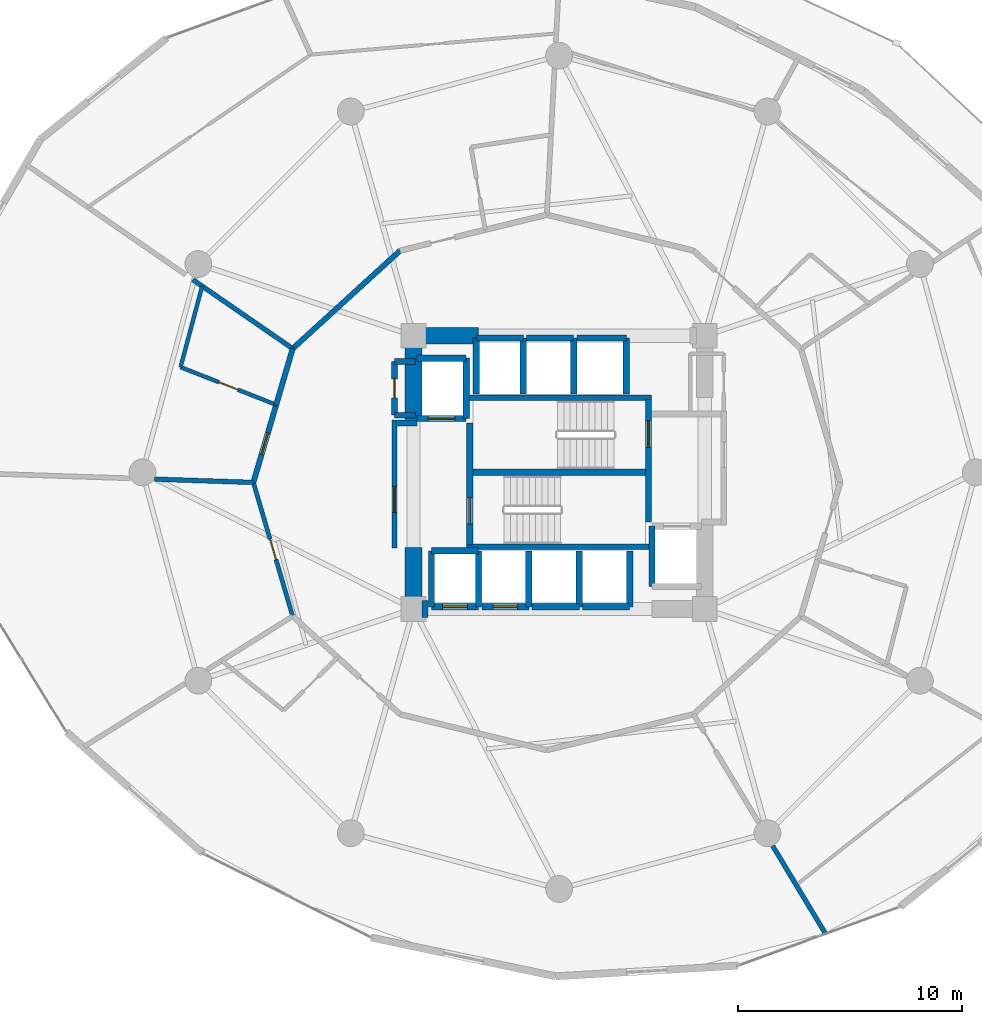
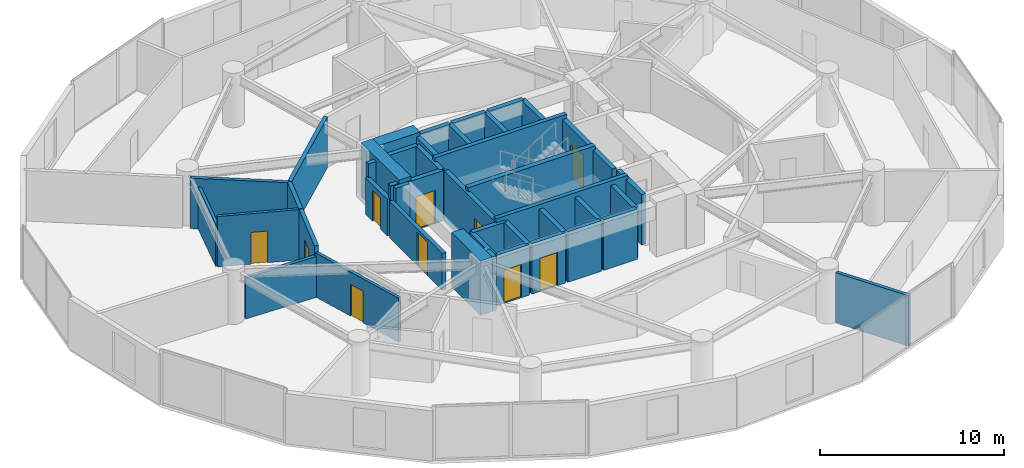
# One storey, part 21 of 26: 44 walls, 10 doors, 10 openings.
"""IFC4 building model written with IfcOpenShell, lengths in metres."""

from ifc_helpers import new_model, si_unit, direction, frame, frame_2d, origin, place, context, subcontext, project, spatial, rectangle, extrude, material, layer, layer_set, type_object, element, fill, save


model = new_model("IFC4")

# Units and contexts
model_context = context("Model", 3, precision=1e-05, world=origin(), true_north=direction((0.0, 1.0)))
body_context = subcontext(model_context, "Body", "Model", "MODEL_VIEW")
ifc_project = project(units=[si_unit("LENGTHUNIT", "METRE"), si_unit("AREAUNIT", "SQUARE_METRE"), si_unit("VOLUMEUNIT", "CUBIC_METRE"), si_unit("PLANEANGLEUNIT", "RADIAN"), si_unit("MASSUNIT", "GRAM", prefix="KILO")], contexts=[model_context])

# Site, building, storey
site_placement = place(None, origin())
site = spatial("IfcSite", under=ifc_project, at=site_placement, CompositionType="ELEMENT")
building_placement = place(site_placement, origin())
building = spatial("IfcBuilding", under=site, at=building_placement, Name="Solvirekh Grand Hotel", CompositionType="ELEMENT")
storey_placement = place(building_placement, frame((0.0, 0.0, 71.60009765625)))
storey = spatial("IfcBuildingStorey", under=building, at=storey_placement, Name="L17", CompositionType="ELEMENT", Elevation=71.60009765625)

# Walls
ifc_material_1 = material(Name="Concrete C50/60", Category="concrete")
ifc_layer_1 = layer(ifc_material_1, 0.35009765625)
ifc_layer_set_1 = layer_set([ifc_layer_1], Name="Concrete C50/60")
wall_type_1 = type_object("IfcWallType", Name="CoreDivWall_RC350", PredefinedType="SOLIDWALL", material=ifc_layer_set_1)
for number, where, z_axis, x_axis, name in (
    (1, (-4.1298828125, -3.324951171875, 0.0), (0.0, 0.0, 1.0), (1.0, 0.0, 0.0), "L17 core stair box wall ST-S"),
    (2, (-4.1298828125, 3.324951171875, 0.0), (0.0, 0.0, 1.0), (1.0, 0.0, 0.0), "L17 core stair box wall ST-N"),
):
    element("IfcWall", number, at=place(storey_placement, frame(where, z_axis=z_axis, x_axis=x_axis)), inside=storey, type_object=wall_type_1, Name=name, PredefinedType="SOLIDWALL", context=body_context, shape_type="SweptSolid", body=[
        extrude(rectangle(XDim=8.259765625, YDim=0.25, at=frame_2d((4.1298828125, 0.0))), origin(), (0.0, 0.0, 1.0), 3.599853515625),
    ])

# Wall, opening, door
ifc_material_2 = material(Name="Concrete C40/50", Category="concrete")
ifc_layer_2 = layer(ifc_material_2, 0.280029296875)
ifc_layer_set_2 = layer_set([ifc_layer_2], Name="Concrete C40/50")
wall_type_2 = type_object("IfcWallType", Name="CoreShaftWall_RC280", PredefinedType="SOLIDWALL", material=ifc_layer_set_2)
wall_1_placement = place(storey_placement, frame((-5.699951171875, -6.0, 0.0), z_axis=(0.0, 0.0, 1.0), x_axis=(1.0, 0.0, 0.0)))
wall_1 = element("IfcWall", 3, at=wall_1_placement, inside=storey, type_object=wall_type_2, Name="L17 LP-1 hoistway S wall", PredefinedType="SOLIDWALL", context=body_context, shape_type="SweptSolid", body=[
    extrude(rectangle(XDim=2.099853515625, YDim=0.280029296875, at=frame_2d((1.0498046875, 0.0))), origin(), (0.0, 0.0, 1.0), 3.33984375),
])
opening_1_placement = place(wall_1_placement, frame((0.5, 0.0, 0.0)))
opening_1 = element("IfcOpeningElement", 4, at=opening_1_placement, cuts=wall_1, Name="Opening LD01", PredefinedType="OPENING", context=body_context, shape_type="SweptSolid", body=[
    extrude(rectangle(XDim=1.10009765625, YDim=2.199951171875, at=frame_2d((0.550048828125, 1.10009765625))), frame((0.0, 0.14990234375, 0.0), z_axis=(0.0, -1.0, 0.0), x_axis=(1.0, 0.0, 0.0)), (0.0, 0.0, 1.0), 0.300048828125),
])
ifc_material_3 = material(Name="Fire-Rated Steel Door Assembly", Category="steel")
door_type_1 = type_object("IfcDoorType", Name="Door_LiftLanding_1100X2200", OperationType="SLIDING_TO_LEFT", PredefinedType="DOOR", material=ifc_material_3)
door_1_placement = place(opening_1_placement, origin())
door_1 = element("IfcDoor", 5, at=door_1_placement, inside=storey, type_object=door_type_1, Name="L17 LP-1 sliding lift landing door", OperationType="SLIDING_TO_LEFT", OverallHeight=2.199951171875, OverallWidth=1.10009765625, PredefinedType="DOOR", context=body_context, shape_type="SweptSolid", body=[
    extrude(rectangle(XDim=1.10009765625, YDim=2.199951171875, at=frame_2d((0.550048828125, 1.10009765625))), frame((0.0, 0.02490234375, 0.0), z_axis=(0.0, -1.0, 0.0), x_axis=(1.0, 0.0, 0.0)), (0.0, 0.0, 1.0), 0.050048828125),
])
fill(opening_1, door_1)

# Walls
wall_2_placement = place(storey_placement, frame((-3.60009765625, -3.5, 0.0), z_axis=(0.0, 0.0, 1.0), x_axis=(-1.0, 0.0, 0.0)))
element("IfcWall", 6, at=wall_2_placement, inside=storey, type_object=wall_type_2, Name="L17 LP-1 hoistway N wall", PredefinedType="SOLIDWALL", context=body_context, shape_type="SweptSolid", body=[
    extrude(rectangle(XDim=2.099853515625, YDim=0.280029296875, at=frame_2d((1.0498046875, 0.0))), origin(), (0.0, 0.0, 1.0), 3.33984375),
])
for number, where, z_axis, x_axis, name in (
    (7, (-5.699951171875, -3.5, 0.0), (0.0, 0.0, 1.0), (0.0, -1.0, 0.0), "L17 LP-1 hoistway W wall"),
    (8, (-3.60009765625, -6.0, 0.0), (0.0, 0.0, 1.0), (0.0, 1.0, 0.0), "L17 LP-1 hoistway E wall"),
):
    element("IfcWall", number, at=place(storey_placement, frame(where, z_axis=z_axis, x_axis=x_axis)), inside=storey, type_object=wall_type_2, Name=name, PredefinedType="SOLIDWALL", context=body_context, shape_type="SweptSolid", body=[
        extrude(rectangle(XDim=2.5, YDim=0.280029296875, at=frame_2d((1.25, 0.0))), origin(), (0.0, 0.0, 1.0), 3.33984375),
    ])

# Wall, opening, door
wall_3_placement = place(storey_placement, frame((-3.449951171875, -6.0, 0.0), z_axis=(0.0, 0.0, 1.0), x_axis=(1.0, 0.0, 0.0)))
wall_3 = element("IfcWall", 9, at=wall_3_placement, inside=storey, type_object=wall_type_2, Name="L17 LP-2 hoistway S wall", PredefinedType="SOLIDWALL", context=body_context, shape_type="SweptSolid", body=[
    extrude(rectangle(XDim=2.099853515625, YDim=0.280029296875, at=frame_2d((1.0498046875, 0.0))), origin(), (0.0, 0.0, 1.0), 3.33984375),
])
opening_2_placement = place(wall_3_placement, frame((0.5, 0.0, 0.0)))
opening_2 = element("IfcOpeningElement", 10, at=opening_2_placement, cuts=wall_3, Name="Opening LD01", PredefinedType="OPENING", context=body_context, shape_type="SweptSolid", body=[
    extrude(rectangle(XDim=1.10009765625, YDim=2.199951171875, at=frame_2d((0.550048828125, 1.10009765625))), frame((0.0, 0.14990234375, 0.0), z_axis=(0.0, -1.0, 0.0), x_axis=(1.0, 0.0, 0.0)), (0.0, 0.0, 1.0), 0.300048828125),
])
door_2_placement = place(opening_2_placement, origin())
door_2 = element("IfcDoor", 11, at=door_2_placement, inside=storey, type_object=door_type_1, Name="L17 LP-2 sliding lift landing door", OperationType="SLIDING_TO_LEFT", OverallHeight=2.199951171875, OverallWidth=1.10009765625, PredefinedType="DOOR", context=body_context, shape_type="SweptSolid", body=[
    extrude(rectangle(XDim=1.10009765625, YDim=2.199951171875, at=frame_2d((0.550048828125, 1.10009765625))), frame((0.0, 0.02490234375, 0.0), z_axis=(0.0, -1.0, 0.0), x_axis=(1.0, 0.0, 0.0)), (0.0, 0.0, 1.0), 0.050048828125),
])
fill(opening_2, door_2)

# Walls
wall_4_placement = place(storey_placement, frame((-1.35009765625, -6.0, 0.0), z_axis=(0.0, 0.0, 1.0), x_axis=(0.0, 1.0, 0.0)))
element("IfcWall", 12, at=wall_4_placement, inside=storey, type_object=wall_type_2, Name="L17 LP-2 hoistway E wall", PredefinedType="SOLIDWALL", context=body_context, shape_type="SweptSolid", body=[
    extrude(rectangle(XDim=2.5, YDim=0.280029296875, at=frame_2d((1.25, 0.0))), origin(), (0.0, 0.0, 1.0), 3.33984375),
])
wall_5_placement = place(storey_placement, frame((-1.199951171875, -6.0, 0.0), z_axis=(0.0, 0.0, 1.0), x_axis=(1.0, 0.0, 0.0)))
element("IfcWall", 13, at=wall_5_placement, inside=storey, type_object=wall_type_2, Name="L17 MP-1 hoistway S wall", PredefinedType="SOLIDWALL", context=body_context, shape_type="SweptSolid", body=[
    extrude(rectangle(XDim=2.099853515625, YDim=0.280029296875, at=frame_2d((1.0498046875, 0.0))), origin(), (0.0, 0.0, 1.0), 3.33984375),
])
wall_6_placement = place(storey_placement, frame((0.89990234375, -6.0, 0.0), z_axis=(0.0, 0.0, 1.0), x_axis=(0.0, 1.0, 0.0)))
element("IfcWall", 14, at=wall_6_placement, inside=storey, type_object=wall_type_2, Name="L17 MP-1 hoistway E wall", PredefinedType="SOLIDWALL", context=body_context, shape_type="SweptSolid", body=[
    extrude(rectangle(XDim=2.5, YDim=0.280029296875, at=frame_2d((1.25, 0.0))), origin(), (0.0, 0.0, 1.0), 3.33984375),
])
wall_7_placement = place(storey_placement, frame((1.050048828125, -6.0, 0.0), z_axis=(0.0, 0.0, 1.0), x_axis=(1.0, 0.0, 0.0)))
element("IfcWall", 15, at=wall_7_placement, inside=storey, type_object=wall_type_2, Name="L17 MP-2 hoistway S wall", PredefinedType="SOLIDWALL", context=body_context, shape_type="SweptSolid", body=[
    extrude(rectangle(XDim=2.099853515625, YDim=0.280029296875, at=frame_2d((1.0498046875, 0.0))), origin(), (0.0, 0.0, 1.0), 3.33984375),
])
wall_8_placement = place(storey_placement, frame((3.14990234375, -6.0, 0.0), z_axis=(0.0, 0.0, 1.0), x_axis=(0.0, 1.0, 0.0)))
element("IfcWall", 16, at=wall_8_placement, inside=storey, type_object=wall_type_2, Name="L17 MP-2 hoistway E wall", PredefinedType="SOLIDWALL", context=body_context, shape_type="SweptSolid", body=[
    extrude(rectangle(XDim=2.5, YDim=0.280029296875, at=frame_2d((1.25, 0.0))), origin(), (0.0, 0.0, 1.0), 3.33984375),
])
wall_9_placement = place(storey_placement, frame((-1.60009765625, 6.0, 0.0), z_axis=(0.0, 0.0, 1.0), x_axis=(-1.0, 0.0, 0.0)))
element("IfcWall", 17, at=wall_9_placement, inside=storey, type_object=wall_type_2, Name="L17 HP-1 hoistway N wall", PredefinedType="SOLIDWALL", context=body_context, shape_type="SweptSolid", body=[
    extrude(rectangle(XDim=2.099853515625, YDim=0.280029296875, at=frame_2d((1.0498046875, 0.0))), origin(), (0.0, 0.0, 1.0), 3.33984375),
])
for number, where, z_axis, x_axis, name in (
    (18, (-3.699951171875, 6.0, 0.0), (0.0, 0.0, 1.0), (0.0, -1.0, 0.0), "L17 HP-1 hoistway W wall"),
    (19, (-1.60009765625, 3.5, 0.0), (0.0, 0.0, 1.0), (0.0, 1.0, 0.0), "L17 HP-1 hoistway E wall"),
):
    element("IfcWall", number, at=place(storey_placement, frame(where, z_axis=z_axis, x_axis=x_axis)), inside=storey, type_object=wall_type_2, Name=name, PredefinedType="SOLIDWALL", context=body_context, shape_type="SweptSolid", body=[
        extrude(rectangle(XDim=2.5, YDim=0.280029296875, at=frame_2d((1.25, 0.0))), origin(), (0.0, 0.0, 1.0), 3.33984375),
    ])
wall_10_placement = place(storey_placement, frame((0.64990234375, 6.0, 0.0), z_axis=(0.0, 0.0, 1.0), x_axis=(-1.0, 0.0, 0.0)))
element("IfcWall", 20, at=wall_10_placement, inside=storey, type_object=wall_type_2, Name="L17 HP-2 hoistway N wall", PredefinedType="SOLIDWALL", context=body_context, shape_type="SweptSolid", body=[
    extrude(rectangle(XDim=2.099853515625, YDim=0.280029296875, at=frame_2d((1.0498046875, 0.0))), origin(), (0.0, 0.0, 1.0), 3.33984375),
])
wall_11_placement = place(storey_placement, frame((0.64990234375, 3.5, 0.0), z_axis=(0.0, 0.0, 1.0), x_axis=(0.0, 1.0, 0.0)))
element("IfcWall", 21, at=wall_11_placement, inside=storey, type_object=wall_type_2, Name="L17 HP-2 hoistway E wall", PredefinedType="SOLIDWALL", context=body_context, shape_type="SweptSolid", body=[
    extrude(rectangle(XDim=2.5, YDim=0.280029296875, at=frame_2d((1.25, 0.0))), origin(), (0.0, 0.0, 1.0), 3.33984375),
])
wall_12_placement = place(storey_placement, frame((3.0, 6.0, 0.0), z_axis=(0.0, 0.0, 1.0), x_axis=(-1.0, 0.0, 0.0)))
element("IfcWall", 22, at=wall_12_placement, inside=storey, type_object=wall_type_2, Name="L17 EX-1 hoistway N wall", PredefinedType="SOLIDWALL", context=body_context, shape_type="SweptSolid", body=[
    extrude(rectangle(XDim=2.199951171875, YDim=0.280029296875, at=frame_2d((1.10009765625, 0.0))), origin(), (0.0, 0.0, 1.0), 3.33984375),
])
wall_13_placement = place(storey_placement, frame((3.0, 3.5, 0.0), z_axis=(0.0, 0.0, 1.0), x_axis=(0.0, 1.0, 0.0)))
element("IfcWall", 23, at=wall_13_placement, inside=storey, type_object=wall_type_2, Name="L17 EX-1 hoistway E wall", PredefinedType="SOLIDWALL", context=body_context, shape_type="SweptSolid", body=[
    extrude(rectangle(XDim=2.5, YDim=0.280029296875, at=frame_2d((1.25, 0.0))), origin(), (0.0, 0.0, 1.0), 3.33984375),
])

# Wall, opening, door
wall_14_placement = place(storey_placement, frame((-6.35009765625, 2.39990234375, 0.0), z_axis=(0.0, 0.0, 1.0), x_axis=(1.0, 0.0, 0.0)))
wall_14 = element("IfcWall", 24, at=wall_14_placement, inside=storey, type_object=wall_type_2, Name="L17 FL-1 hoistway S wall", PredefinedType="SOLIDWALL", context=body_context, shape_type="SweptSolid", body=[
    extrude(rectangle(XDim=2.2001953125, YDim=0.280029296875, at=frame_2d((1.10009765625, 0.0))), origin(), (0.0, 0.0, 1.0), 3.33984375),
])
opening_3_placement = place(wall_14_placement, frame((0.5, 0.0, 0.0)))
opening_3 = element("IfcOpeningElement", 25, at=opening_3_placement, cuts=wall_14, Name="Opening LD02", PredefinedType="OPENING", context=body_context, shape_type="SweptSolid", body=[
    extrude(rectangle(XDim=1.199951171875, YDim=2.199951171875, at=frame_2d((0.60009765625, 1.10009765625))), frame((0.0, 0.14990234375, 0.0), z_axis=(0.0, -1.0, 0.0), x_axis=(1.0, 0.0, 0.0)), (0.0, 0.0, 1.0), 0.300048828125),
])
door_type_2 = type_object("IfcDoorType", Name="Door_LiftFF_1200X2200", OperationType="SLIDING_TO_LEFT", PredefinedType="DOOR", material=ifc_material_3)
door_3_placement = place(opening_3_placement, origin())
door_3 = element("IfcDoor", 26, at=door_3_placement, inside=storey, type_object=door_type_2, Name="L17 FL-1 sliding lift landing door", OperationType="SLIDING_TO_LEFT", OverallHeight=2.199951171875, OverallWidth=1.199951171875, PredefinedType="DOOR", context=body_context, shape_type="SweptSolid", body=[
    extrude(rectangle(XDim=1.199951171875, YDim=2.199951171875, at=frame_2d((0.60009765625, 1.10009765625))), frame((0.0, 0.02490234375, 0.0), z_axis=(0.0, -1.0, 0.0), x_axis=(1.0, 0.0, 0.0)), (0.0, 0.0, 1.0), 0.050048828125),
])
fill(opening_3, door_3)

# Walls
wall_15_placement = place(storey_placement, frame((-4.14990234375, 5.10009765625, 0.0), z_axis=(0.0, 0.0, 1.0), x_axis=(-1.0, 0.0, 0.0)))
element("IfcWall", 27, at=wall_15_placement, inside=storey, type_object=wall_type_2, Name="L17 FL-1 hoistway N wall", PredefinedType="SOLIDWALL", context=body_context, shape_type="SweptSolid", body=[
    extrude(rectangle(XDim=2.2001953125, YDim=0.280029296875, at=frame_2d((1.10009765625, 0.0))), origin(), (0.0, 0.0, 1.0), 3.33984375),
])
for number, where, z_axis, x_axis, name in (
    (28, (-4.14990234375, 2.39990234375, 0.0), (0.0, 0.0, 1.0), (0.0, 1.0, 0.0), "L17 FL-1 hoistway E wall"),
    (29, (4.14990234375, -2.39990234375, 0.0), (0.0, 0.0, 1.0), (0.0, -1.0, 0.0), "L17 FL-2 hoistway W wall"),
):
    element("IfcWall", number, at=place(storey_placement, frame(where, z_axis=z_axis, x_axis=x_axis)), inside=storey, type_object=wall_type_2, Name=name, PredefinedType="SOLIDWALL", context=body_context, shape_type="SweptSolid", body=[
        extrude(rectangle(XDim=2.7001953125, YDim=0.280029296875, at=frame_2d((1.35009765625, 0.0))), origin(), (0.0, 0.0, 1.0), 3.33984375),
    ])

# Wall, opening, door
wall_16_placement = place(storey_placement, frame((-3.989990234375, -3.25, 0.0), z_axis=(0.0, 0.0, 1.0), x_axis=(0.0, 1.0, 0.0)))
wall_16 = element("IfcWall", 30, at=wall_16_placement, inside=storey, type_object=wall_type_2, Name="L17 west stair landing enclosure wall", PredefinedType="SOLIDWALL", context=body_context, shape_type="SweptSolid", body=[
    extrude(rectangle(XDim=5.4599609375, YDim=0.280029296875, at=frame_2d((2.72998046875, 0.0))), origin(), (0.0, 0.0, 1.0), 3.33984375),
])
opening_4_placement = place(wall_16_placement, frame((0.93701171875, 0.0, 0.0)))
opening_4 = element("IfcOpeningElement", 31, at=opening_4_placement, cuts=wall_16, Name="Opening D05", PredefinedType="OPENING", context=body_context, shape_type="SweptSolid", body=[
    extrude(rectangle(XDim=1.199951171875, YDim=2.199951171875, at=frame_2d((0.60009765625, 1.10009765625))), frame((0.0, 0.14990234375, 0.0), z_axis=(0.0, -1.0, 0.0), x_axis=(1.0, 0.0, 0.0)), (0.0, 0.0, 1.0), 0.300048828125),
])
door_type_3 = type_object("IfcDoorType", Name="Door_StairCore_1200X2200", OperationType="NOTDEFINED", PredefinedType="DOOR", material=ifc_material_3)
door_4_placement = place(opening_4_placement, origin())
door_4 = element("IfcDoor", 32, at=door_4_placement, inside=storey, type_object=door_type_3, Name="L17 exit stair ST-1 fire door", OperationType="SINGLE_SWING_RIGHT", OverallHeight=2.199951171875, OverallWidth=1.199951171875, PredefinedType="DOOR", context=body_context, shape_type="SweptSolid", body=[
    extrude(rectangle(XDim=1.199951171875, YDim=2.199951171875, at=frame_2d((0.60009765625, 1.10009765625))), frame((0.0, 0.02490234375, 0.0), z_axis=(0.0, -1.0, 0.0), x_axis=(1.0, 0.0, 0.0)), (0.0, 0.0, 1.0), 0.050048828125),
])
fill(opening_4, door_4)

wall_17_placement = place(storey_placement, frame((3.989990234375, -2.2099609375, 0.0), z_axis=(0.0, 0.0, 1.0), x_axis=(0.0, 1.0, 0.0)))
wall_17 = element("IfcWall", 33, at=wall_17_placement, inside=storey, type_object=wall_type_2, Name="L17 east stair landing enclosure wall", PredefinedType="SOLIDWALL", context=body_context, shape_type="SweptSolid", body=[
    extrude(rectangle(XDim=5.4599609375, YDim=0.280029296875, at=frame_2d((2.72998046875, 0.0))), origin(), (0.0, 0.0, 1.0), 3.33984375),
])
opening_5_placement = place(wall_17_placement, frame((3.322998046875, 0.0, 0.0)))
opening_5 = element("IfcOpeningElement", 34, at=opening_5_placement, cuts=wall_17, Name="Opening D05", PredefinedType="OPENING", context=body_context, shape_type="SweptSolid", body=[
    extrude(rectangle(XDim=1.199951171875, YDim=2.199951171875, at=frame_2d((0.60009765625, 1.10009765625))), frame((0.0, 0.14990234375, 0.0), z_axis=(0.0, -1.0, 0.0), x_axis=(1.0, 0.0, 0.0)), (0.0, 0.0, 1.0), 0.300048828125),
])
door_5_placement = place(opening_5_placement, origin())
door_5 = element("IfcDoor", 35, at=door_5_placement, inside=storey, type_object=door_type_3, Name="L17 exit stair ST-2 fire door", OperationType="SINGLE_SWING_LEFT", OverallHeight=2.199951171875, OverallWidth=1.199951171875, PredefinedType="DOOR", context=body_context, shape_type="SweptSolid", body=[
    extrude(rectangle(XDim=1.199951171875, YDim=2.199951171875, at=frame_2d((0.60009765625, 1.10009765625))), frame((0.0, 0.02490234375, 0.0), z_axis=(0.0, -1.0, 0.0), x_axis=(1.0, 0.0, 0.0)), (0.0, 0.0, 1.0), 0.050048828125),
])
fill(opening_5, door_5)

# Walls
ifc_material_4 = material(Name="Concrete C60/75", Category="concrete")
ifc_layer_3 = layer(ifc_material_4, 0.75)
ifc_layer_set_3 = layer_set([ifc_layer_3], Name="Concrete C60/75")
wall_type_3 = type_object("IfcWallType", Name="CoreWall_RC750", PredefinedType="SHEAR", material=ifc_layer_set_3)
wall_18_placement = place(storey_placement, frame((-3.989990234375, 0.0, 0.0), z_axis=(0.0, 0.0, 1.0), x_axis=(1.0, 0.0, 0.0)))
element("IfcWall", 36, at=wall_18_placement, inside=storey, type_object=wall_type_3, Name="L17 central stair-spine shear wall", PredefinedType="SHEAR", context=body_context, shape_type="SweptSolid", body=[
    extrude(rectangle(XDim=7.97998046875, YDim=0.300048828125, at=frame_2d((3.989990234375, 0.0))), origin(), (0.0, 0.0, 1.0), 3.599853515625),
])
wall_19_placement = place(storey_placement, frame((-6.125, -6.10009765625, 0.0), z_axis=(0.0, 0.0, 1.0), x_axis=(1.0, 0.0, 0.0)))
element("IfcWall", 37, at=wall_19_placement, inside=storey, type_object=wall_type_3, Name="L17 core corner shear wall SW-S", PredefinedType="SHEAR", context=body_context, shape_type="SweptSolid", body=[
    extrude(rectangle(XDim=0.27490234375, YDim=0.75, at=frame_2d((0.137451171875, 0.0))), origin(), (0.0, 0.0, 1.0), 3.599853515625),
])
wall_20_placement = place(storey_placement, frame((-6.125, 6.10009765625, 0.0), z_axis=(0.0, 0.0, 1.0), x_axis=(1.0, 0.0, 0.0)))
element("IfcWall", 38, at=wall_20_placement, inside=storey, type_object=wall_type_3, Name="L17 core corner shear wall NW-N", PredefinedType="SHEAR", context=body_context, shape_type="SweptSolid", body=[
    extrude(rectangle(XDim=2.52490234375, YDim=0.75, at=frame_2d((1.262451171875, 0.0))), origin(), (0.0, 0.0, 1.0), 3.599853515625),
])
wall_21_placement = place(storey_placement, frame((-6.5, 2.35009765625, 0.0), z_axis=(0.0, 0.0, 1.0), x_axis=(0.0, 1.0, 0.0)))
element("IfcWall", 39, at=wall_21_placement, inside=storey, type_object=wall_type_3, Name="L17 core corner shear wall WN-W", PredefinedType="SHEAR", context=body_context, shape_type="SweptSolid", body=[
    extrude(rectangle(XDim=4.125, YDim=0.75, at=frame_2d((2.0625, 0.0))), origin(), (0.0, 0.0, 1.0), 3.599853515625),
])
wall_22_placement = place(storey_placement, frame((-6.5, -6.47509765625, 0.0), z_axis=(0.0, 0.0, 1.0), x_axis=(0.0, 1.0, 0.0)))
element("IfcWall", 40, at=wall_22_placement, inside=storey, type_object=wall_type_3, Name="L17 core corner shear wall WS-W", PredefinedType="SHEAR", context=body_context, shape_type="SweptSolid", body=[
    extrude(rectangle(XDim=3.125, YDim=0.75, at=frame_2d((1.5625, 0.0))), origin(), (0.0, 0.0, 1.0), 3.599853515625),
])

# Wall, opening, door
ifc_material_5 = material(Name="Acoustic Gypsum Partition Assembly")
ifc_layer_4 = layer(ifc_material_5, 0.239990234375)
ifc_layer_set_4 = layer_set([ifc_layer_4], Name="Acoustic Gypsum Partition Assembly")
wall_type_4 = type_object("IfcWallType", Name="Part_Corridor_240", PredefinedType="PARTITIONING", material=ifc_layer_set_4)
wall_23_placement = place(storey_placement, frame((-7.35009765625, -3.3798828125, 0.0), z_axis=(0.0, 0.0, 1.0), x_axis=(0.0, 1.0, 0.0)))
wall_23 = element("IfcWall", 41, at=wall_23_placement, inside=storey, type_object=wall_type_4, Name="L17 west firefighting lobby smoke screen wall", PredefinedType="PARTITIONING", context=body_context, shape_type="SweptSolid", body=[
    extrude(rectangle(XDim=5.719970703125, YDim=0.239990234375, at=frame_2d((2.85986328125, 0.0))), origin(), (0.0, 0.0, 1.0), 2.4248046875),
])
opening_6_placement = place(wall_23_placement, frame((1.59912109375, 0.0, 0.0)))
opening_6 = element("IfcOpeningElement", 42, at=opening_6_placement, cuts=wall_23, Name="Opening D06", PredefinedType="OPENING", context=body_context, shape_type="SweptSolid", body=[
    extrude(rectangle(XDim=1.14990234375, YDim=2.199951171875, at=frame_2d((0.574951171875, 1.10009765625))), frame((0.0, 0.1298828125, 0.0), z_axis=(0.0, -1.0, 0.0), x_axis=(1.0, 0.0, 0.0)), (0.0, 0.0, 1.0), 0.260009765625),
])
door_type_4 = type_object("IfcDoorType", Name="Door_FFLobby_1150X2200", OperationType="NOTDEFINED", PredefinedType="DOOR", material=ifc_material_3)
door_6_placement = place(opening_6_placement, origin())
door_6 = element("IfcDoor", 43, at=door_6_placement, inside=storey, type_object=door_type_4, Name="L17 west firefighting lobby smoke door", OperationType="SINGLE_SWING_RIGHT", OverallHeight=2.199951171875, OverallWidth=1.14990234375, PredefinedType="DOOR", context=body_context, shape_type="SweptSolid", body=[
    extrude(rectangle(XDim=1.14990234375, YDim=2.199951171875, at=frame_2d((0.574951171875, 1.10009765625))), frame((0.0, 0.02490234375, 0.0), z_axis=(0.0, -1.0, 0.0), x_axis=(1.0, 0.0, 0.0)), (0.0, 0.0, 1.0), 0.050048828125),
])
fill(opening_6, door_6)

# Walls
wall_24_placement = place(storey_placement, frame((-7.10009765625, 9.89892578125, 0.0), z_axis=(0.0, 0.0, 1.0), x_axis=(-0.73878836807, -0.673937495028, 0.0)))
element("IfcWall", 44, at=wall_24_placement, inside=storey, type_object=wall_type_4, Name="L17 Executive Suite 1904 Living Room corridor wall 1", PredefinedType="PARTITIONING", context=body_context, shape_type="SweptSolid", body=[
    extrude(rectangle(XDim=6.490234375, YDim=0.239990234375, at=frame_2d((3.2451171875, 0.0))), origin(), (0.0, 0.0, 1.0), 3.33984375),
])
wall_25_placement = place(storey_placement, frame((-11.89501953125, 5.52490234375, 0.0), z_axis=(0.0, 0.0, 1.0), x_axis=(-0.281878178616, -0.9594502032, 0.0)))
element("IfcWall", 45, at=wall_25_placement, inside=storey, type_object=wall_type_4, Name="L17 En-suite Bathroom 1905 corridor backing wall", PredefinedType="PARTITIONING", context=body_context, shape_type="SweptSolid", body=[
    extrude(rectangle(XDim=2.61474609375, YDim=0.239990234375, at=frame_2d((1.307373046875, 0.0))), origin(), (0.0, 0.0, 1.0), 3.33984375),
])

# Wall, opening, door
wall_26_placement = place(storey_placement, frame((-12.632080078125, 3.01611328125, 0.0), z_axis=(0.0, 0.0, 1.0), x_axis=(-0.281756491287, -0.959485945503, 0.0)))
wall_26 = element("IfcWall", 46, at=wall_26_placement, inside=storey, type_object=wall_type_4, Name="L17 Deluxe Guestroom 1905 entrance wall", PredefinedType="PARTITIONING", context=body_context, shape_type="SweptSolid", body=[
    extrude(rectangle(XDim=3.6123046875, YDim=0.239990234375, at=frame_2d((1.80615234375, 0.0))), origin(), (0.0, 0.0, 1.0), 3.33984375),
])
opening_7_placement = place(wall_26_placement, frame((1.305908203125, 0.0, 0.0)))
opening_7 = element("IfcOpeningElement", 47, at=opening_7_placement, cuts=wall_26, Name="Opening D07", PredefinedType="OPENING", context=body_context, shape_type="SweptSolid", body=[
    extrude(rectangle(XDim=1.0, YDim=2.199951171875, at=frame_2d((0.5, 1.10009765625))), frame((0.0, 0.1298828125, 0.0), z_axis=(0.0, -1.0, 0.0), x_axis=(1.0, 0.0, 0.0)), (0.0, 0.0, 1.0), 0.260009765625),
])
door_type_5 = type_object("IfcDoorType", Name="Door_GuestEntry_1000X2200", OperationType="NOTDEFINED", PredefinedType="DOOR", material=ifc_material_3)
door_7_placement = place(opening_7_placement, origin())
door_7 = element("IfcDoor", 48, at=door_7_placement, inside=storey, type_object=door_type_5, Name="L17 Deluxe Guestroom 1905 entrance door", OperationType="SINGLE_SWING_LEFT", OverallHeight=2.199951171875, OverallWidth=1.0, PredefinedType="DOOR", context=body_context, shape_type="SweptSolid", body=[
    extrude(rectangle(XDim=1.0, YDim=2.199951171875, at=frame_2d((0.5, 1.10009765625))), frame((0.0, 0.02490234375, 0.0), z_axis=(0.0, -1.0, 0.0), x_axis=(1.0, 0.0, 0.0)), (0.0, 0.0, 1.0), 0.050048828125),
])
fill(opening_7, door_7)

ifc_layer_5 = layer(ifc_material_5, 0.18994140625)
ifc_layer_set_5 = layer_set([ifc_layer_5], Name="Acoustic Gypsum Partition Assembly")
wall_type_5 = type_object("IfcWallType", Name="Part_GuestDemise_190", PredefinedType="PARTITIONING", material=ifc_layer_set_5)
wall_27_placement = place(storey_placement, frame((-13.64990234375, -0.449951171875, 0.0), z_axis=(0.0, 0.0, 1.0), x_axis=(0.281796988209, -0.959474052508, 0.0)))
wall_27 = element("IfcWall", 49, at=wall_27_placement, inside=storey, type_object=wall_type_5, Name="L17 L17 Private Resident Lounge entrance wall", PredefinedType="PARTITIONING", context=body_context, shape_type="SweptSolid", body=[
    extrude(rectangle(XDim=6.2275390625, YDim=0.18994140625, at=frame_2d((3.11376953125, 0.0))), origin(), (0.0, 0.0, 1.0), 2.9169921875),
])
opening_8_placement = place(wall_27_placement, frame((2.638916015625, 0.0, 0.0)))
opening_8 = element("IfcOpeningElement", 50, at=opening_8_placement, cuts=wall_27, Name="Opening D10", PredefinedType="OPENING", context=body_context, shape_type="SweptSolid", body=[
    extrude(rectangle(XDim=0.949951171875, YDim=2.10009765625, at=frame_2d((0.47509765625, 1.050048828125))), frame((0.0, 0.10498046875, 0.0), z_axis=(0.0, -1.0, 0.0), x_axis=(1.0, 0.0, 0.0)), (0.0, 0.0, 1.0), 0.2099609375),
])
ifc_material_6 = material(Name="Anodized Bronze Aluminium 6063-T6", Category="aluminium")
door_type_6 = type_object("IfcDoorType", Name="Door_RoomInt_950X2100", OperationType="NOTDEFINED", PredefinedType="DOOR", material=ifc_material_6)
door_8_placement = place(opening_8_placement, origin())
door_8 = element("IfcDoor", 51, at=door_8_placement, inside=storey, type_object=door_type_6, Name="L17 L17 Private Resident Lounge entrance door", OperationType="SINGLE_SWING_RIGHT", OverallHeight=2.10009765625, OverallWidth=0.949951171875, PredefinedType="DOOR", context=body_context, shape_type="SweptSolid", body=[
    extrude(rectangle(XDim=0.949951171875, YDim=2.10009765625, at=frame_2d((0.47509765625, 1.050048828125))), frame((0.0, 0.02490234375, 0.0), z_axis=(0.0, -1.0, 0.0), x_axis=(1.0, 0.0, 0.0)), (0.0, 0.0, 1.0), 0.050048828125),
])
fill(opening_8, door_8)

# Walls
ifc_layer_6 = layer(ifc_material_5, 0.260009765625)
ifc_layer_set_6 = layer_set([ifc_layer_6], Name="Acoustic Gypsum Partition Assembly")
wall_type_6 = type_object("IfcWallType", Name="Part_LobbyFF_260", PredefinedType="PARTITIONING", material=ifc_layer_set_6)
wall_28_placement = place(storey_placement, frame((-7.22509765625, 2.2099609375, 0.0), z_axis=(0.0, 0.0, 1.0), x_axis=(1.0, 0.0, 0.0)))
element("IfcWall", 52, at=wall_28_placement, inside=storey, type_object=wall_type_6, Name="L17 west firefighting lobby NW cheek", PredefinedType="PARTITIONING", context=body_context, shape_type="SweptSolid", body=[
    extrude(rectangle(XDim=0.875, YDim=0.260009765625, at=frame_2d((0.4375, 0.0))), origin(), (0.0, 0.0, 1.0), 3.33984375),
])
for number, where, z_axis, x_axis, name in (
    (53, (-7.35009765625, 4.949951171875, 0.0), (0.0, 0.0, 1.0), (1.0, 0.0, 0.0), "L17 NW telecom metering cupboard north wall"),
    (54, (-7.35009765625, 2.550048828125, 0.0), (0.0, 0.0, 1.0), (1.0, 0.0, 0.0), "L17 NW telecom metering cupboard south wall"),
):
    element("IfcWall", number, at=place(storey_placement, frame(where, z_axis=z_axis, x_axis=x_axis)), inside=storey, type_object=wall_type_6, Name=name, PredefinedType="PARTITIONING", context=body_context, shape_type="SweptSolid", body=[
        extrude(rectangle(XDim=0.93017578125, YDim=0.260009765625, at=frame_2d((0.465087890625, 0.0))), origin(), (0.0, 0.0, 1.0), 3.33984375),
    ])

# Wall, opening, door
wall_29_placement = place(storey_placement, frame((-7.35009765625, 2.550048828125, 0.0), z_axis=(0.0, 0.0, 1.0), x_axis=(0.0, 1.0, 0.0)))
wall_29 = element("IfcWall", 55, at=wall_29_placement, inside=storey, type_object=wall_type_6, Name="L17 NW telecom metering cupboard access wall", PredefinedType="PARTITIONING", context=body_context, shape_type="SweptSolid", body=[
    extrude(rectangle(XDim=2.39990234375, YDim=0.260009765625, at=frame_2d((1.199951171875, 0.0))), origin(), (0.0, 0.0, 1.0), 2.4248046875),
])
opening_9_placement = place(wall_29_placement, frame((0.77490234375, 0.0, 0.0)))
opening_9 = element("IfcOpeningElement", 56, at=opening_9_placement, cuts=wall_29, Name="Opening D13", PredefinedType="OPENING", context=body_context, shape_type="SweptSolid", body=[
    extrude(rectangle(XDim=0.85009765625, YDim=2.050048828125, at=frame_2d((0.425048828125, 1.02490234375))), frame((0.0, 0.14013671875, 0.0), z_axis=(0.0, -1.0, 0.0), x_axis=(1.0, 0.0, 0.0)), (0.0, 0.0, 1.0), 0.280029296875),
])
door_type_7 = type_object("IfcDoorType", Name="Door_RiserShaft_850X2050", OperationType="NOTDEFINED", PredefinedType="DOOR", material=ifc_material_3)
door_9_placement = place(opening_9_placement, origin())
door_9 = element("IfcDoor", 57, at=door_9_placement, inside=storey, type_object=door_type_7, Name="L17 telecom metering cupboard access door", OperationType="SINGLE_SWING_RIGHT", OverallHeight=2.050048828125, OverallWidth=0.85009765625, PredefinedType="DOOR", context=body_context, shape_type="SweptSolid", body=[
    extrude(rectangle(XDim=0.85009765625, YDim=2.050048828125, at=frame_2d((0.425048828125, 1.02490234375))), frame((0.0, 0.02490234375, 0.0), z_axis=(0.0, -1.0, 0.0), x_axis=(1.0, 0.0, 0.0)), (0.0, 0.0, 1.0), 0.050048828125),
])
fill(opening_9, door_9)

# Walls
ifc_layer_7 = layer(ifc_material_5, 0.2099609375)
ifc_layer_set_7 = layer_set([ifc_layer_7], Name="Acoustic Gypsum Partition Assembly")
wall_type_7 = type_object("IfcWallType", Name="Part_SuiteDemise_210", PredefinedType="PARTITIONING", material=ifc_layer_set_7)
wall_30_placement = place(storey_placement, frame((-11.89501953125, 5.52490234375, 0.0), z_axis=(0.0, 0.0, 1.0), x_axis=(-0.823003351356, 0.56803651613, 0.0)))
element("IfcWall", 58, at=wall_30_placement, inside=storey, type_object=wall_type_7, Name="L17 suite radial wall 6 (A)", PredefinedType="PARTITIONING", context=body_context, shape_type="SweptSolid", body=[
    extrude(rectangle(XDim=5.412109375, YDim=0.2099609375, at=frame_2d((2.7060546875, 0.0))), origin(), (0.0, 0.0, 1.0), 3.33984375),
])
wall_31_placement = place(storey_placement, frame((-13.64990234375, -0.449951171875, 0.0), z_axis=(0.0, 0.0, 1.0), x_axis=(-0.999444906979, 0.033314830233, 0.0)))
element("IfcWall", 59, at=wall_31_placement, inside=storey, type_object=wall_type_7, Name="L17 suite radial wall 7 (A)", PredefinedType="PARTITIONING", context=body_context, shape_type="SweptSolid", body=[
    extrude(rectangle(XDim=4.41162109375, YDim=0.2099609375, at=frame_2d((2.205810546875, 0.0))), origin(), (0.0, 0.0, 1.0), 2.708984375),
])
wall_32_placement = place(storey_placement, frame((9.537109375, -16.680908203125, 0.0), z_axis=(0.0, 0.0, 1.0), x_axis=(0.515428694024, -0.856932471888, 0.0)))
element("IfcWall", 60, at=wall_32_placement, inside=storey, type_object=wall_type_7, Name="L17 suite radial wall 11 (B)", PredefinedType="PARTITIONING", context=body_context, shape_type="SweptSolid", body=[
    extrude(rectangle(XDim=4.53955078125, YDim=0.2099609375, at=frame_2d((2.269775390625, 0.0))), origin(), (0.0, 0.0, 1.0), 3.33984375),
])
ifc_layer_8 = layer(ifc_material_5, 0.175048828125)
ifc_layer_set_8 = layer_set([ifc_layer_8], Name="Acoustic Gypsum Partition Assembly")
wall_type_8 = type_object("IfcWallType", Name="Plumb_Ensuite_175", PredefinedType="PLUMBINGWALL", material=ifc_layer_set_8)
wall_33_placement = place(storey_placement, frame((-15.93603515625, 8.31396484375, 0.0), z_axis=(0.0, 0.0, 1.0), x_axis=(-0.257808817377, -0.966195949941, 0.0)))
element("IfcWall", 61, at=wall_33_placement, inside=storey, type_object=wall_type_8, Name="L17 En-suite Bathroom 1905 outer plumbing wall", PredefinedType="PLUMBINGWALL", context=body_context, shape_type="SweptSolid", body=[
    extrude(rectangle(XDim=3.742431640625, YDim=0.175048828125, at=frame_2d((1.87109375, 0.0))), origin(), (0.0, 0.0, 1.0), 2.79296875),
])

# Wall, opening, door
wall_34_placement = place(storey_placement, frame((-12.632080078125, 3.01611328125, 0.0), z_axis=(0.0, 0.0, 1.0), x_axis=(-0.930390795805, 0.366569184576, 0.0)))
wall_34 = element("IfcWall", 62, at=wall_34_placement, inside=storey, type_object=wall_type_8, Name="L17 En-suite Bathroom 1905 entry plumbing wall", PredefinedType="PLUMBINGWALL", context=body_context, shape_type="SweptSolid", body=[
    extrude(rectangle(XDim=4.588134765625, YDim=0.175048828125, at=frame_2d((2.2939453125, 0.0))), origin(), (0.0, 0.0, 1.0), 3.33984375),
])
opening_10_placement = place(wall_34_placement, frame((1.843994140625, 0.0, 0.0)))
opening_10 = element("IfcOpeningElement", 63, at=opening_10_placement, cuts=wall_34, Name="Opening D09", PredefinedType="OPENING", context=body_context, shape_type="SweptSolid", body=[
    extrude(rectangle(XDim=0.89990234375, YDim=2.10009765625, at=frame_2d((0.449951171875, 1.050048828125))), frame((0.0, 0.09765625, 0.0), z_axis=(0.0, -1.0, 0.0), x_axis=(1.0, 0.0, 0.0)), (0.0, 0.0, 1.0), 0.195068359375),
])
door_type_8 = type_object("IfcDoorType", Name="Door_Ensuite_900X2100", OperationType="NOTDEFINED", PredefinedType="DOOR", material=ifc_material_6)
door_10_placement = place(opening_10_placement, origin())
door_10 = element("IfcDoor", 64, at=door_10_placement, inside=storey, type_object=door_type_8, Name="L17 En-suite Bathroom 1905 door", OperationType="SINGLE_SWING_RIGHT", OverallHeight=2.10009765625, OverallWidth=0.89990234375, PredefinedType="DOOR", context=body_context, shape_type="SweptSolid", body=[
    extrude(rectangle(XDim=0.89990234375, YDim=2.10009765625, at=frame_2d((0.449951171875, 1.050048828125))), frame((0.0, 0.02490234375, 0.0), z_axis=(0.0, -1.0, 0.0), x_axis=(1.0, 0.0, 0.0)), (0.0, 0.0, 1.0), 0.050048828125),
])
fill(opening_10, door_10)

save(model, "model.ifc")
